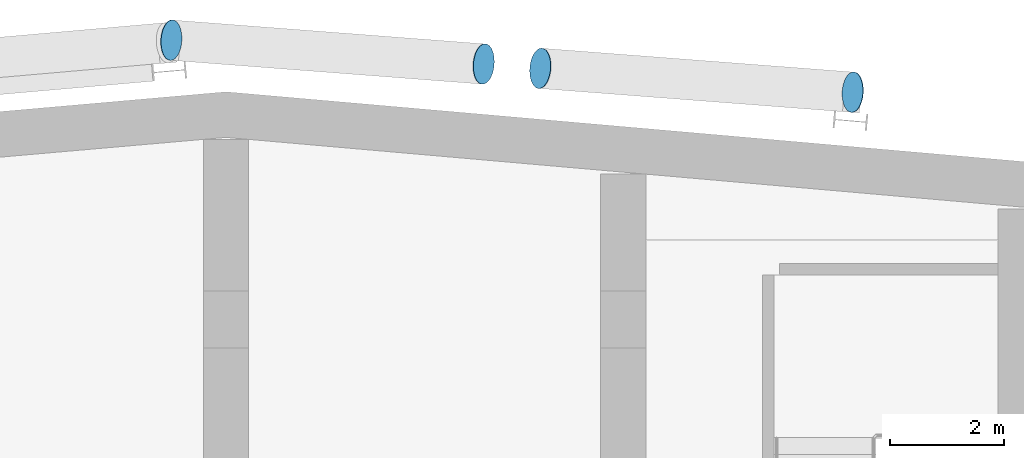
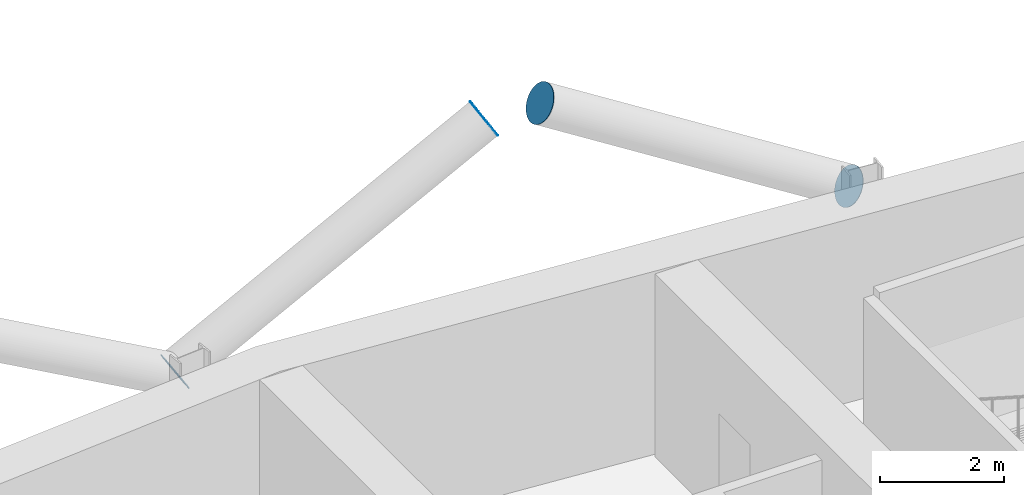
# One storey, part 25 of 29: 4 discrete accessories.
"""IFC4 building model written with IfcOpenShell, lengths in metres."""

from ifc_helpers import new_model, si_unit, direction, frame, origin, origin_2d, place, context, subcontext, project, spatial, circle, extrude, material, material_profile, profile_set, type_object, element, save


model = new_model("IFC4")

# Units and contexts
model_context = context("Model", 3, precision=1e-05, world=origin(), true_north=direction((0.0, 1.0)))
body_context = subcontext(model_context, "Body", "Model", "MODEL_VIEW")
ifc_project = project(units=[si_unit("LENGTHUNIT", "METRE"), si_unit("AREAUNIT", "SQUARE_METRE"), si_unit("VOLUMEUNIT", "CUBIC_METRE"), si_unit("PLANEANGLEUNIT", "RADIAN"), si_unit("MASSUNIT", "GRAM", prefix="KILO")], contexts=[model_context])

# Site, building, storey
site_placement = place(None, origin())
site = spatial("IfcSite", under=ifc_project, at=site_placement, CompositionType="ELEMENT")
building_placement = place(site_placement, origin())
building = spatial("IfcBuilding", under=site, at=building_placement, Name="Wharfspan Tower", CompositionType="ELEMENT")
storey_placement = place(building_placement, frame((0.0, 0.0, 155.5)))
storey = spatial("IfcBuildingStorey", under=building, at=storey_placement, Name="L37", CompositionType="ELEMENT", Elevation=155.5)

# Discrete accessories
ifc_material = material(Name="Steel S460NH", Category="steel")
ifc_material_profile = material_profile(ifc_material, circle(Radius=0.355469, at=origin_2d()))
ifc_profile_set = profile_set([ifc_material_profile], Name="Steel S460NH")
discrete_accessory_type = type_object("IfcDiscreteAccessoryType", Name="End plate CHS 711x36", PredefinedType="BRACKET", material=ifc_profile_set)
for number, where, z_axis, x_axis, name in (
    (1, (36.03125, 51.534668, 2.894775), (0.856465, -0.048941, 0.513879), (0.05705, 0.998372, 0.0), "End plate CHS 711x36"),
    (2, (41.533447, 51.114502, 6.197021), (0.855186, -0.073302, 0.513112), (0.085402, 0.996345, -1e-06), "End plate CHS 711x36"),
    (3, (48.04541, 50.617188, 2.894775), (-0.856465, 0.048941, 0.513879), (-0.05705, -0.998372, 0.0), "End plate CHS 711x36"),
    (4, (42.543213, 51.037354, 6.197021), (-0.855186, 0.073302, 0.513112), (-0.085402, -0.996345, -1e-06), "End plate CHS 711x36"),
):
    element("IfcDiscreteAccessory", number, at=place(storey_placement, frame(where, z_axis=z_axis, x_axis=x_axis)), inside=storey, type_object=discrete_accessory_type, Name=name, PredefinedType="BRACKET", context=body_context, shape_type="SweptSolid", body=[
        extrude(circle(Radius=0.355469, at=origin_2d()), origin(), (0.0, 0.0, 1.0), 0.01001),
    ])

save(model, "model.ifc")
